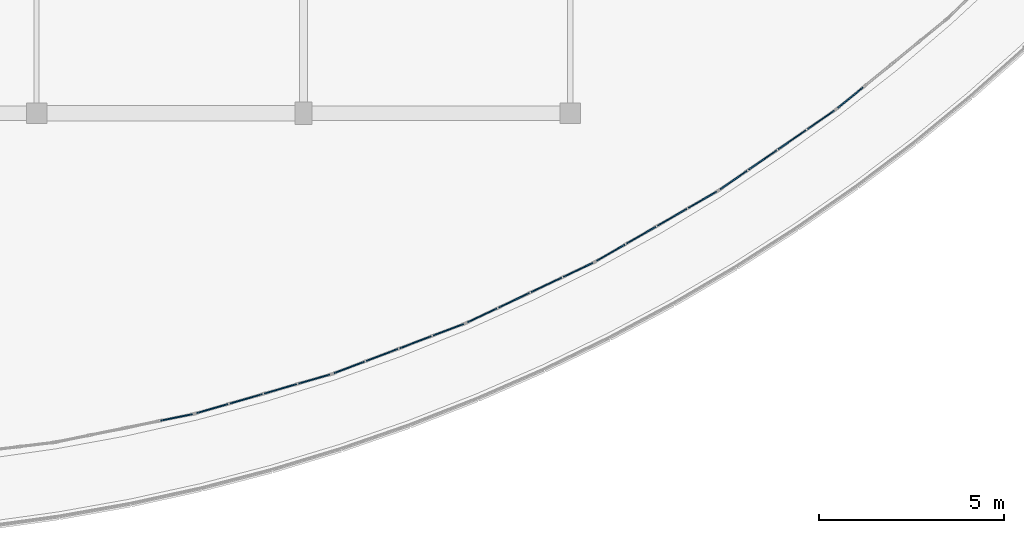
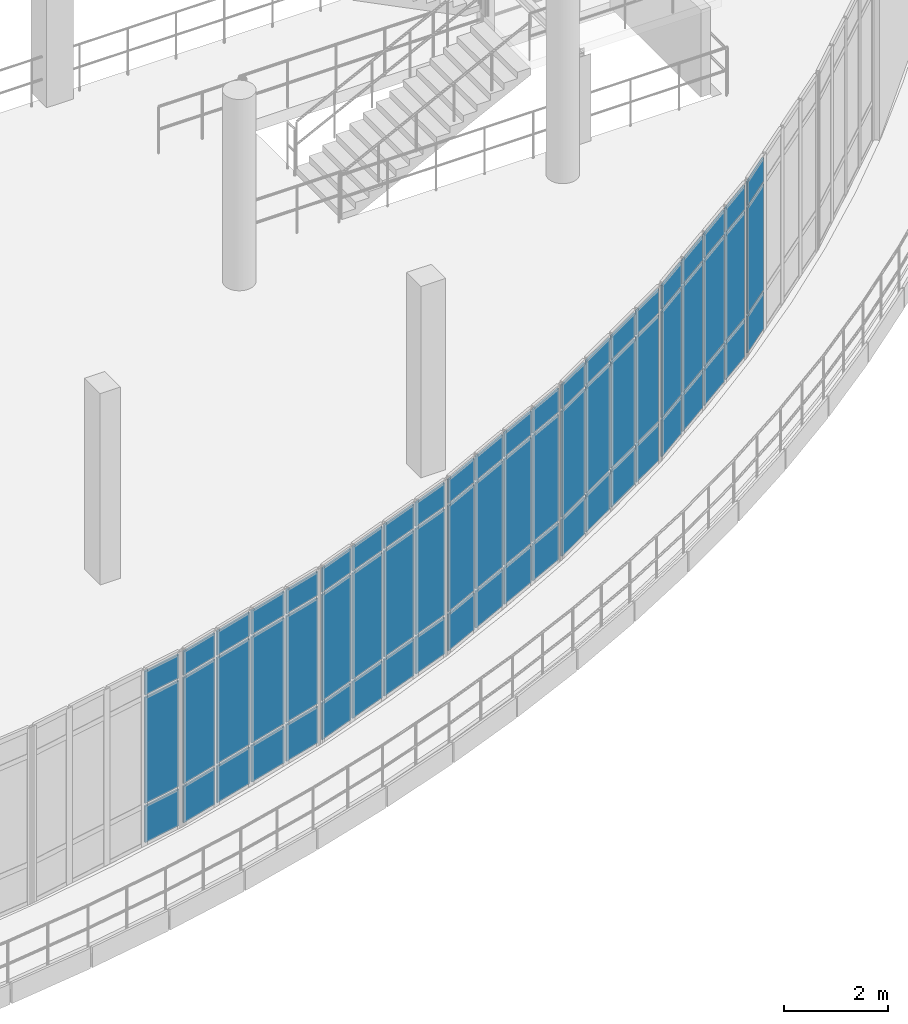
# One storey, part 92 of 124: 66 plates, 7 elements without a shape of their own.
"""IFC4 building model written with IfcOpenShell, lengths in metres."""

from ifc_helpers import new_model, si_unit, direction, frame, origin, origin_2d, place, context, subcontext, project, spatial, rectangle, extrude, material, layer, layer_set, type_object, element, aggregate, save


model = new_model("IFC4")

# Units and contexts
model_context = context("Model", 3, precision=1e-05, world=origin(), true_north=direction((0.0, 1.0)))
body_context = subcontext(model_context, "Body", "Model", "MODEL_VIEW")
ifc_project = project(units=[si_unit("LENGTHUNIT", "METRE"), si_unit("AREAUNIT", "SQUARE_METRE"), si_unit("VOLUMEUNIT", "CUBIC_METRE"), si_unit("PLANEANGLEUNIT", "RADIAN"), si_unit("MASSUNIT", "GRAM", prefix="KILO")], contexts=[model_context])

# Site, building, storey
site_placement = place(None, origin())
site = spatial("IfcSite", under=ifc_project, at=site_placement, CompositionType="ELEMENT")
building_placement = place(site_placement, origin())
building = spatial("IfcBuilding", under=site, at=building_placement, Name="Kalluvel Institute of Natural Sciences", CompositionType="ELEMENT")
storey_placement = place(building_placement, frame((0.0, 0.0, 9.89990234375)))
storey = spatial("IfcBuildingStorey", under=building, at=storey_placement, Name="L02", CompositionType="ELEMENT", Elevation=9.89990234375)

# Curtain wall, plates
ifc_material_1 = material(Name="Aluminium AW-6063 T6", Category="aluminium")
curtain_wall_type = type_object("IfcCurtainWallType", Name="CW-ATR-ARC", PredefinedType="USERDEFINED", material=ifc_material_1)
curtain_wall_1_placement = place(storey_placement, origin())
curtain_wall_1 = element("IfcCurtainWall", 1, at=curtain_wall_1_placement, inside=storey, type_object=curtain_wall_type, Name="L02 Gothic lancet curtain wall CWA-L02-X433-Y555", ObjectType="UNITISED LANCET FACADE", PredefinedType="USERDEFINED")
ifc_material_2 = material(Name="Solar-Control Low-E Laminated Glass", Category="glass")
ifc_layer = layer(ifc_material_2, 0.035888671875)
ifc_layer_set = layer_set([ifc_layer], Name="Solar-Control Low-E Laminated Glass")
plate_type = type_object("IfcPlateType", Name="CWP-DGU-36", PredefinedType="CURTAIN_PANEL", material=ifc_layer_set)
plate_1_placement = place(storey_placement, frame((46.576171875, 56.1923828125, 0.06005859375), z_axis=(0.0, 0.0, 1.0), x_axis=(0.979790166812, 0.200028070576, 0.0)))
plate_1 = element("IfcPlate", 2, at=plate_1_placement, type_object=plate_type, Name="CW-05 panel 4.1", PredefinedType="CURTAIN_PANEL", context=body_context, shape_type="SweptSolid", body=[
    extrude(rectangle(XDim=0.874267578125, YDim=0.035888671875, at=origin_2d()), origin(), (0.0, 0.0, 1.0), 0.860107421875),
])
plate_2_placement = place(storey_placement, frame((46.576171875, 56.1923828125, 0.97998046875), z_axis=(0.0, 0.0, 1.0), x_axis=(0.979790166812, 0.200028070576, 0.0)))
plate_2 = element("IfcPlate", 3, at=plate_2_placement, type_object=plate_type, Name="CW-05 panel 4.2", PredefinedType="CURTAIN_PANEL", context=body_context, shape_type="SweptSolid", body=[
    extrude(rectangle(XDim=0.874267578125, YDim=0.035888671875, at=origin_2d()), origin(), (0.0, 0.0, 1.0), 2.489990234375),
])
plate_3_placement = place(storey_placement, frame((46.576171875, 56.1923828125, 3.530029296875), z_axis=(0.0, 0.0, 1.0), x_axis=(0.979790166812, 0.200028070576, 0.0)))
plate_3 = element("IfcPlate", 4, at=plate_3_placement, type_object=plate_type, Name="CW-05 panel 4.3", PredefinedType="CURTAIN_PANEL", context=body_context, shape_type="SweptSolid", body=[
    extrude(rectangle(XDim=0.874267578125, YDim=0.035888671875, at=origin_2d()), origin(), (0.0, 0.0, 1.0), 0.56005859375),
])
aggregate(curtain_wall_1, [plate_1, plate_2, plate_3])

curtain_wall_2_placement = place(storey_placement, origin())
curtain_wall_2 = element("IfcCurtainWall", 5, at=curtain_wall_2_placement, inside=storey, type_object=curtain_wall_type, Name="L02 Gothic lancet curtain wall CWA-L02-X471-Y563", ObjectType="UNITISED LANCET FACADE", PredefinedType="USERDEFINED")
plate_4_placement = place(storey_placement, frame((47.540771484375, 56.43017578125, 0.06005859375), z_axis=(0.0, 0.0, 1.0), x_axis=(0.960519792816, 0.278211659728, 0.0)))
plate_4 = element("IfcPlate", 6, at=plate_4_placement, type_object=plate_type, Name="CW-05 panel 1.1", PredefinedType="CURTAIN_PANEL", context=body_context, shape_type="SweptSolid", body=[
    extrude(rectangle(XDim=0.874267578125, YDim=0.035888671875, at=origin_2d()), origin(), (0.0, 0.0, 1.0), 0.860107421875),
])
plate_5_placement = place(storey_placement, frame((47.540771484375, 56.43017578125, 0.97998046875), z_axis=(0.0, 0.0, 1.0), x_axis=(0.960519792816, 0.278211659728, 0.0)))
plate_5 = element("IfcPlate", 7, at=plate_5_placement, type_object=plate_type, Name="CW-05 panel 1.2", PredefinedType="CURTAIN_PANEL", context=body_context, shape_type="SweptSolid", body=[
    extrude(rectangle(XDim=0.874267578125, YDim=0.035888671875, at=origin_2d()), origin(), (0.0, 0.0, 1.0), 2.489990234375),
])
plate_6_placement = place(storey_placement, frame((47.540771484375, 56.43017578125, 3.530029296875), z_axis=(0.0, 0.0, 1.0), x_axis=(0.960519792816, 0.278211659728, 0.0)))
plate_6 = element("IfcPlate", 8, at=plate_6_placement, type_object=plate_type, Name="CW-05 panel 1.3", PredefinedType="CURTAIN_PANEL", context=body_context, shape_type="SweptSolid", body=[
    extrude(rectangle(XDim=0.874267578125, YDim=0.035888671875, at=origin_2d()), origin(), (0.0, 0.0, 1.0), 0.56005859375),
])
plate_7_placement = place(storey_placement, frame((48.45263671875, 56.6943359375, 0.06005859375), z_axis=(0.0, 0.0, 1.0), x_axis=(0.960519792816, 0.278211659728, 0.0)))
plate_7 = element("IfcPlate", 9, at=plate_7_placement, type_object=plate_type, Name="CW-05 panel 2.1", PredefinedType="CURTAIN_PANEL", context=body_context, shape_type="SweptSolid", body=[
    extrude(rectangle(XDim=0.904296875, YDim=0.035888671875, at=origin_2d()), origin(), (0.0, 0.0, 1.0), 0.860107421875),
])
plate_8_placement = place(storey_placement, frame((48.45263671875, 56.6943359375, 0.97998046875), z_axis=(0.0, 0.0, 1.0), x_axis=(0.960519792816, 0.278211659728, 0.0)))
plate_8 = element("IfcPlate", 10, at=plate_8_placement, type_object=plate_type, Name="CW-05 panel 2.2", PredefinedType="CURTAIN_PANEL", context=body_context, shape_type="SweptSolid", body=[
    extrude(rectangle(XDim=0.904296875, YDim=0.035888671875, at=origin_2d()), origin(), (0.0, 0.0, 1.0), 2.489990234375),
])
plate_9_placement = place(storey_placement, frame((48.45263671875, 56.6943359375, 3.530029296875), z_axis=(0.0, 0.0, 1.0), x_axis=(0.960519792816, 0.278211659728, 0.0)))
plate_9 = element("IfcPlate", 11, at=plate_9_placement, type_object=plate_type, Name="CW-05 panel 2.3", PredefinedType="CURTAIN_PANEL", context=body_context, shape_type="SweptSolid", body=[
    extrude(rectangle(XDim=0.904296875, YDim=0.035888671875, at=origin_2d()), origin(), (0.0, 0.0, 1.0), 0.56005859375),
])
plate_10_placement = place(storey_placement, frame((49.37890625, 56.962646484375, 0.06005859375), z_axis=(0.0, 0.0, 1.0), x_axis=(0.960519792816, 0.278211659728, 0.0)))
plate_10 = element("IfcPlate", 12, at=plate_10_placement, type_object=plate_type, Name="CW-05 panel 3.1", PredefinedType="CURTAIN_PANEL", context=body_context, shape_type="SweptSolid", body=[
    extrude(rectangle(XDim=0.904296875, YDim=0.035888671875, at=origin_2d()), origin(), (0.0, 0.0, 1.0), 0.860107421875),
])
plate_11_placement = place(storey_placement, frame((49.37890625, 56.962646484375, 0.97998046875), z_axis=(0.0, 0.0, 1.0), x_axis=(0.960519792816, 0.278211659728, 0.0)))
plate_11 = element("IfcPlate", 13, at=plate_11_placement, type_object=plate_type, Name="CW-05 panel 3.2", PredefinedType="CURTAIN_PANEL", context=body_context, shape_type="SweptSolid", body=[
    extrude(rectangle(XDim=0.904296875, YDim=0.035888671875, at=origin_2d()), origin(), (0.0, 0.0, 1.0), 2.489990234375),
])
plate_12_placement = place(storey_placement, frame((49.37890625, 56.962646484375, 3.530029296875), z_axis=(0.0, 0.0, 1.0), x_axis=(0.960519792816, 0.278211659728, 0.0)))
plate_12 = element("IfcPlate", 14, at=plate_12_placement, type_object=plate_type, Name="CW-05 panel 3.3", PredefinedType="CURTAIN_PANEL", context=body_context, shape_type="SweptSolid", body=[
    extrude(rectangle(XDim=0.904296875, YDim=0.035888671875, at=origin_2d()), origin(), (0.0, 0.0, 1.0), 0.56005859375),
])
plate_13_placement = place(storey_placement, frame((50.290771484375, 57.226806640625, 0.06005859375), z_axis=(0.0, 0.0, 1.0), x_axis=(0.960519792816, 0.278211659728, 0.0)))
plate_13 = element("IfcPlate", 15, at=plate_13_placement, type_object=plate_type, Name="CW-05 panel 4.1", PredefinedType="CURTAIN_PANEL", context=body_context, shape_type="SweptSolid", body=[
    extrude(rectangle(XDim=0.874267578125, YDim=0.035888671875, at=origin_2d()), origin(), (0.0, 0.0, 1.0), 0.860107421875),
])
plate_14_placement = place(storey_placement, frame((50.290771484375, 57.226806640625, 0.97998046875), z_axis=(0.0, 0.0, 1.0), x_axis=(0.960519792816, 0.278211659728, 0.0)))
plate_14 = element("IfcPlate", 16, at=plate_14_placement, type_object=plate_type, Name="CW-05 panel 4.2", PredefinedType="CURTAIN_PANEL", context=body_context, shape_type="SweptSolid", body=[
    extrude(rectangle(XDim=0.874267578125, YDim=0.035888671875, at=origin_2d()), origin(), (0.0, 0.0, 1.0), 2.489990234375),
])
plate_15_placement = place(storey_placement, frame((50.290771484375, 57.226806640625, 3.530029296875), z_axis=(0.0, 0.0, 1.0), x_axis=(0.960519792816, 0.278211659728, 0.0)))
plate_15 = element("IfcPlate", 17, at=plate_15_placement, type_object=plate_type, Name="CW-05 panel 4.3", PredefinedType="CURTAIN_PANEL", context=body_context, shape_type="SweptSolid", body=[
    extrude(rectangle(XDim=0.874267578125, YDim=0.035888671875, at=origin_2d()), origin(), (0.0, 0.0, 1.0), 0.56005859375),
])
aggregate(curtain_wall_2, [plate_4, plate_5, plate_6, plate_7, plate_8, plate_9, plate_10, plate_11, plate_12, plate_13, plate_14, plate_15])

curtain_wall_3_placement = place(storey_placement, origin())
curtain_wall_3 = element("IfcCurtainWall", 18, at=curtain_wall_3_placement, inside=storey, type_object=curtain_wall_type, Name="L02 Gothic lancet curtain wall CWA-L02-X508-Y574", ObjectType="UNITISED LANCET FACADE", PredefinedType="USERDEFINED")
plate_16_placement = place(storey_placement, frame((51.233154296875, 57.54150390625, 0.06005859375), z_axis=(0.0, 0.0, 1.0), x_axis=(0.935014421443, 0.354609689227, 0.0)))
plate_16 = element("IfcPlate", 19, at=plate_16_placement, type_object=plate_type, Name="CW-05 panel 1.1", PredefinedType="CURTAIN_PANEL", context=body_context, shape_type="SweptSolid", body=[
    extrude(rectangle(XDim=0.874267578125, YDim=0.035888671875, at=origin_2d()), origin(), (0.0, 0.0, 1.0), 0.860107421875),
])
plate_17_placement = place(storey_placement, frame((51.233154296875, 57.54150390625, 0.97998046875), z_axis=(0.0, 0.0, 1.0), x_axis=(0.935014421443, 0.354609689227, 0.0)))
plate_17 = element("IfcPlate", 20, at=plate_17_placement, type_object=plate_type, Name="CW-05 panel 1.2", PredefinedType="CURTAIN_PANEL", context=body_context, shape_type="SweptSolid", body=[
    extrude(rectangle(XDim=0.874267578125, YDim=0.035888671875, at=origin_2d()), origin(), (0.0, 0.0, 1.0), 2.489990234375),
])
plate_18_placement = place(storey_placement, frame((51.233154296875, 57.54150390625, 3.530029296875), z_axis=(0.0, 0.0, 1.0), x_axis=(0.935014421443, 0.354609689227, 0.0)))
plate_18 = element("IfcPlate", 21, at=plate_18_placement, type_object=plate_type, Name="CW-05 panel 1.3", PredefinedType="CURTAIN_PANEL", context=body_context, shape_type="SweptSolid", body=[
    extrude(rectangle(XDim=0.874267578125, YDim=0.035888671875, at=origin_2d()), origin(), (0.0, 0.0, 1.0), 0.56005859375),
])
plate_19_placement = place(storey_placement, frame((52.120849609375, 57.878173828125, 0.06005859375), z_axis=(0.0, 0.0, 1.0), x_axis=(0.935014421443, 0.354609689227, 0.0)))
plate_19 = element("IfcPlate", 22, at=plate_19_placement, type_object=plate_type, Name="CW-05 panel 2.1", PredefinedType="CURTAIN_PANEL", context=body_context, shape_type="SweptSolid", body=[
    extrude(rectangle(XDim=0.904296875, YDim=0.035888671875, at=origin_2d()), origin(), (0.0, 0.0, 1.0), 0.860107421875),
])
plate_20_placement = place(storey_placement, frame((52.120849609375, 57.878173828125, 0.97998046875), z_axis=(0.0, 0.0, 1.0), x_axis=(0.935014421443, 0.354609689227, 0.0)))
plate_20 = element("IfcPlate", 23, at=plate_20_placement, type_object=plate_type, Name="CW-05 panel 2.2", PredefinedType="CURTAIN_PANEL", context=body_context, shape_type="SweptSolid", body=[
    extrude(rectangle(XDim=0.904296875, YDim=0.035888671875, at=origin_2d()), origin(), (0.0, 0.0, 1.0), 2.489990234375),
])
plate_21_placement = place(storey_placement, frame((52.120849609375, 57.878173828125, 3.530029296875), z_axis=(0.0, 0.0, 1.0), x_axis=(0.935014421443, 0.354609689227, 0.0)))
plate_21 = element("IfcPlate", 24, at=plate_21_placement, type_object=plate_type, Name="CW-05 panel 2.3", PredefinedType="CURTAIN_PANEL", context=body_context, shape_type="SweptSolid", body=[
    extrude(rectangle(XDim=0.904296875, YDim=0.035888671875, at=origin_2d()), origin(), (0.0, 0.0, 1.0), 0.56005859375),
])
plate_22_placement = place(storey_placement, frame((53.022705078125, 58.219970703125, 0.06005859375), z_axis=(0.0, 0.0, 1.0), x_axis=(0.935014421443, 0.354609689227, 0.0)))
plate_22 = element("IfcPlate", 25, at=plate_22_placement, type_object=plate_type, Name="CW-05 panel 3.1", PredefinedType="CURTAIN_PANEL", context=body_context, shape_type="SweptSolid", body=[
    extrude(rectangle(XDim=0.904296875, YDim=0.035888671875, at=origin_2d()), origin(), (0.0, 0.0, 1.0), 0.860107421875),
])
plate_23_placement = place(storey_placement, frame((53.022705078125, 58.219970703125, 0.97998046875), z_axis=(0.0, 0.0, 1.0), x_axis=(0.935014421443, 0.354609689227, 0.0)))
plate_23 = element("IfcPlate", 26, at=plate_23_placement, type_object=plate_type, Name="CW-05 panel 3.2", PredefinedType="CURTAIN_PANEL", context=body_context, shape_type="SweptSolid", body=[
    extrude(rectangle(XDim=0.904296875, YDim=0.035888671875, at=origin_2d()), origin(), (0.0, 0.0, 1.0), 2.489990234375),
])
plate_24_placement = place(storey_placement, frame((53.022705078125, 58.219970703125, 3.530029296875), z_axis=(0.0, 0.0, 1.0), x_axis=(0.935014421443, 0.354609689227, 0.0)))
plate_24 = element("IfcPlate", 27, at=plate_24_placement, type_object=plate_type, Name="CW-05 panel 3.3", PredefinedType="CURTAIN_PANEL", context=body_context, shape_type="SweptSolid", body=[
    extrude(rectangle(XDim=0.904296875, YDim=0.035888671875, at=origin_2d()), origin(), (0.0, 0.0, 1.0), 0.56005859375),
])
plate_25_placement = place(storey_placement, frame((53.910400390625, 58.556640625, 0.06005859375), z_axis=(0.0, 0.0, 1.0), x_axis=(0.935014421443, 0.354609689227, 0.0)))
plate_25 = element("IfcPlate", 28, at=plate_25_placement, type_object=plate_type, Name="CW-05 panel 4.1", PredefinedType="CURTAIN_PANEL", context=body_context, shape_type="SweptSolid", body=[
    extrude(rectangle(XDim=0.874267578125, YDim=0.035888671875, at=origin_2d()), origin(), (0.0, 0.0, 1.0), 0.860107421875),
])
plate_26_placement = place(storey_placement, frame((53.910400390625, 58.556640625, 0.97998046875), z_axis=(0.0, 0.0, 1.0), x_axis=(0.935014421443, 0.354609689227, 0.0)))
plate_26 = element("IfcPlate", 29, at=plate_26_placement, type_object=plate_type, Name="CW-05 panel 4.2", PredefinedType="CURTAIN_PANEL", context=body_context, shape_type="SweptSolid", body=[
    extrude(rectangle(XDim=0.874267578125, YDim=0.035888671875, at=origin_2d()), origin(), (0.0, 0.0, 1.0), 2.489990234375),
])
plate_27_placement = place(storey_placement, frame((53.910400390625, 58.556640625, 3.530029296875), z_axis=(0.0, 0.0, 1.0), x_axis=(0.935014421443, 0.354609689227, 0.0)))
plate_27 = element("IfcPlate", 30, at=plate_27_placement, type_object=plate_type, Name="CW-05 panel 4.3", PredefinedType="CURTAIN_PANEL", context=body_context, shape_type="SweptSolid", body=[
    extrude(rectangle(XDim=0.874267578125, YDim=0.035888671875, at=origin_2d()), origin(), (0.0, 0.0, 1.0), 0.56005859375),
])
aggregate(curtain_wall_3, [plate_16, plate_17, plate_18, plate_19, plate_20, plate_21, plate_22, plate_23, plate_24, plate_25, plate_26, plate_27])

curtain_wall_4_placement = place(storey_placement, origin())
curtain_wall_4 = element("IfcCurtainWall", 31, at=curtain_wall_4_placement, inside=storey, type_object=curtain_wall_type, Name="L02 Gothic lancet curtain wall CWA-L02-X544-Y587", ObjectType="UNITISED LANCET FACADE", PredefinedType="USERDEFINED")
plate_28_placement = place(storey_placement, frame((54.824462890625, 58.946044921875, 0.06005859375), z_axis=(0.0, 0.0, 1.0), x_axis=(0.903445721692, 0.428702493526, 0.0)))
plate_28 = element("IfcPlate", 32, at=plate_28_placement, type_object=plate_type, Name="CW-05 panel 1.1", PredefinedType="CURTAIN_PANEL", context=body_context, shape_type="SweptSolid", body=[
    extrude(rectangle(XDim=0.874267578125, YDim=0.035888671875, at=origin_2d()), origin(), (0.0, 0.0, 1.0), 0.860107421875),
])
plate_29_placement = place(storey_placement, frame((54.824462890625, 58.946044921875, 0.97998046875), z_axis=(0.0, 0.0, 1.0), x_axis=(0.903445721692, 0.428702493526, 0.0)))
plate_29 = element("IfcPlate", 33, at=plate_29_placement, type_object=plate_type, Name="CW-05 panel 1.2", PredefinedType="CURTAIN_PANEL", context=body_context, shape_type="SweptSolid", body=[
    extrude(rectangle(XDim=0.874267578125, YDim=0.035888671875, at=origin_2d()), origin(), (0.0, 0.0, 1.0), 2.489990234375),
])
plate_30_placement = place(storey_placement, frame((54.824462890625, 58.946044921875, 3.530029296875), z_axis=(0.0, 0.0, 1.0), x_axis=(0.903445721692, 0.428702493526, 0.0)))
plate_30 = element("IfcPlate", 34, at=plate_30_placement, type_object=plate_type, Name="CW-05 panel 1.3", PredefinedType="CURTAIN_PANEL", context=body_context, shape_type="SweptSolid", body=[
    extrude(rectangle(XDim=0.874267578125, YDim=0.035888671875, at=origin_2d()), origin(), (0.0, 0.0, 1.0), 0.56005859375),
])
plate_31_placement = place(storey_placement, frame((55.68212890625, 59.35302734375, 0.06005859375), z_axis=(0.0, 0.0, 1.0), x_axis=(0.903445721692, 0.428702493526, 0.0)))
plate_31 = element("IfcPlate", 35, at=plate_31_placement, type_object=plate_type, Name="CW-05 panel 2.1", PredefinedType="CURTAIN_PANEL", context=body_context, shape_type="SweptSolid", body=[
    extrude(rectangle(XDim=0.904296875, YDim=0.035888671875, at=origin_2d()), origin(), (0.0, 0.0, 1.0), 0.860107421875),
])
plate_32_placement = place(storey_placement, frame((55.68212890625, 59.35302734375, 0.97998046875), z_axis=(0.0, 0.0, 1.0), x_axis=(0.903445721692, 0.428702493526, 0.0)))
plate_32 = element("IfcPlate", 36, at=plate_32_placement, type_object=plate_type, Name="CW-05 panel 2.2", PredefinedType="CURTAIN_PANEL", context=body_context, shape_type="SweptSolid", body=[
    extrude(rectangle(XDim=0.904296875, YDim=0.035888671875, at=origin_2d()), origin(), (0.0, 0.0, 1.0), 2.489990234375),
])
plate_33_placement = place(storey_placement, frame((55.68212890625, 59.35302734375, 3.530029296875), z_axis=(0.0, 0.0, 1.0), x_axis=(0.903445721692, 0.428702493526, 0.0)))
plate_33 = element("IfcPlate", 37, at=plate_33_placement, type_object=plate_type, Name="CW-05 panel 2.3", PredefinedType="CURTAIN_PANEL", context=body_context, shape_type="SweptSolid", body=[
    extrude(rectangle(XDim=0.904296875, YDim=0.035888671875, at=origin_2d()), origin(), (0.0, 0.0, 1.0), 0.56005859375),
])
plate_34_placement = place(storey_placement, frame((56.55322265625, 59.7666015625, 0.06005859375), z_axis=(0.0, 0.0, 1.0), x_axis=(0.903445721692, 0.428702493526, 0.0)))
plate_34 = element("IfcPlate", 38, at=plate_34_placement, type_object=plate_type, Name="CW-05 panel 3.1", PredefinedType="CURTAIN_PANEL", context=body_context, shape_type="SweptSolid", body=[
    extrude(rectangle(XDim=0.904296875, YDim=0.035888671875, at=origin_2d()), origin(), (0.0, 0.0, 1.0), 0.860107421875),
])
plate_35_placement = place(storey_placement, frame((56.55322265625, 59.7666015625, 0.97998046875), z_axis=(0.0, 0.0, 1.0), x_axis=(0.903445721692, 0.428702493526, 0.0)))
plate_35 = element("IfcPlate", 39, at=plate_35_placement, type_object=plate_type, Name="CW-05 panel 3.2", PredefinedType="CURTAIN_PANEL", context=body_context, shape_type="SweptSolid", body=[
    extrude(rectangle(XDim=0.904296875, YDim=0.035888671875, at=origin_2d()), origin(), (0.0, 0.0, 1.0), 2.489990234375),
])
plate_36_placement = place(storey_placement, frame((56.55322265625, 59.7666015625, 3.530029296875), z_axis=(0.0, 0.0, 1.0), x_axis=(0.903445721692, 0.428702493526, 0.0)))
plate_36 = element("IfcPlate", 40, at=plate_36_placement, type_object=plate_type, Name="CW-05 panel 3.3", PredefinedType="CURTAIN_PANEL", context=body_context, shape_type="SweptSolid", body=[
    extrude(rectangle(XDim=0.904296875, YDim=0.035888671875, at=origin_2d()), origin(), (0.0, 0.0, 1.0), 0.56005859375),
])
plate_37_placement = place(storey_placement, frame((57.4111328125, 60.173583984375, 0.06005859375), z_axis=(0.0, 0.0, 1.0), x_axis=(0.903445721692, 0.428702493526, 0.0)))
plate_37 = element("IfcPlate", 41, at=plate_37_placement, type_object=plate_type, Name="CW-05 panel 4.1", PredefinedType="CURTAIN_PANEL", context=body_context, shape_type="SweptSolid", body=[
    extrude(rectangle(XDim=0.874267578125, YDim=0.035888671875, at=origin_2d()), origin(), (0.0, 0.0, 1.0), 0.860107421875),
])
plate_38_placement = place(storey_placement, frame((57.4111328125, 60.173583984375, 0.97998046875), z_axis=(0.0, 0.0, 1.0), x_axis=(0.903445721692, 0.428702493526, 0.0)))
plate_38 = element("IfcPlate", 42, at=plate_38_placement, type_object=plate_type, Name="CW-05 panel 4.2", PredefinedType="CURTAIN_PANEL", context=body_context, shape_type="SweptSolid", body=[
    extrude(rectangle(XDim=0.874267578125, YDim=0.035888671875, at=origin_2d()), origin(), (0.0, 0.0, 1.0), 2.489990234375),
])
plate_39_placement = place(storey_placement, frame((57.4111328125, 60.173583984375, 3.530029296875), z_axis=(0.0, 0.0, 1.0), x_axis=(0.903445721692, 0.428702493526, 0.0)))
plate_39 = element("IfcPlate", 43, at=plate_39_placement, type_object=plate_type, Name="CW-05 panel 4.3", PredefinedType="CURTAIN_PANEL", context=body_context, shape_type="SweptSolid", body=[
    extrude(rectangle(XDim=0.874267578125, YDim=0.035888671875, at=origin_2d()), origin(), (0.0, 0.0, 1.0), 0.56005859375),
])
aggregate(curtain_wall_4, [plate_28, plate_29, plate_30, plate_31, plate_32, plate_33, plate_34, plate_35, plate_36, plate_37, plate_38, plate_39])

curtain_wall_5_placement = place(storey_placement, origin())
curtain_wall_5 = element("IfcCurtainWall", 44, at=curtain_wall_5_placement, inside=storey, type_object=curtain_wall_type, Name="L02 Gothic lancet curtain wall CWA-L02-X579-Y604", ObjectType="UNITISED LANCET FACADE", PredefinedType="USERDEFINED")
plate_40_placement = place(storey_placement, frame((58.290771484375, 60.63525390625, 0.06005859375), z_axis=(0.0, 0.0, 1.0), x_axis=(0.866031470337, 0.499989492276, 0.0)))
plate_40 = element("IfcPlate", 45, at=plate_40_placement, type_object=plate_type, Name="CW-05 panel 1.1", PredefinedType="CURTAIN_PANEL", context=body_context, shape_type="SweptSolid", body=[
    extrude(rectangle(XDim=0.874267578125, YDim=0.035888671875, at=origin_2d()), origin(), (0.0, 0.0, 1.0), 0.860107421875),
])
plate_41_placement = place(storey_placement, frame((58.290771484375, 60.63525390625, 0.97998046875), z_axis=(0.0, 0.0, 1.0), x_axis=(0.866031470337, 0.499989492276, 0.0)))
plate_41 = element("IfcPlate", 46, at=plate_41_placement, type_object=plate_type, Name="CW-05 panel 1.2", PredefinedType="CURTAIN_PANEL", context=body_context, shape_type="SweptSolid", body=[
    extrude(rectangle(XDim=0.874267578125, YDim=0.035888671875, at=origin_2d()), origin(), (0.0, 0.0, 1.0), 2.489990234375),
])
plate_42_placement = place(storey_placement, frame((58.290771484375, 60.63525390625, 3.530029296875), z_axis=(0.0, 0.0, 1.0), x_axis=(0.866031470337, 0.499989492276, 0.0)))
plate_42 = element("IfcPlate", 47, at=plate_42_placement, type_object=plate_type, Name="CW-05 panel 1.3", PredefinedType="CURTAIN_PANEL", context=body_context, shape_type="SweptSolid", body=[
    extrude(rectangle(XDim=0.874267578125, YDim=0.035888671875, at=origin_2d()), origin(), (0.0, 0.0, 1.0), 0.56005859375),
])
plate_43_placement = place(storey_placement, frame((59.113037109375, 61.10986328125, 0.06005859375), z_axis=(0.0, 0.0, 1.0), x_axis=(0.866031470337, 0.499989492276, 0.0)))
plate_43 = element("IfcPlate", 48, at=plate_43_placement, type_object=plate_type, Name="CW-05 panel 2.1", PredefinedType="CURTAIN_PANEL", context=body_context, shape_type="SweptSolid", body=[
    extrude(rectangle(XDim=0.904296875, YDim=0.035888671875, at=origin_2d()), origin(), (0.0, 0.0, 1.0), 0.860107421875),
])
plate_44_placement = place(storey_placement, frame((59.113037109375, 61.10986328125, 0.97998046875), z_axis=(0.0, 0.0, 1.0), x_axis=(0.866031470337, 0.499989492276, 0.0)))
plate_44 = element("IfcPlate", 49, at=plate_44_placement, type_object=plate_type, Name="CW-05 panel 2.2", PredefinedType="CURTAIN_PANEL", context=body_context, shape_type="SweptSolid", body=[
    extrude(rectangle(XDim=0.904296875, YDim=0.035888671875, at=origin_2d()), origin(), (0.0, 0.0, 1.0), 2.489990234375),
])
plate_45_placement = place(storey_placement, frame((59.113037109375, 61.10986328125, 3.530029296875), z_axis=(0.0, 0.0, 1.0), x_axis=(0.866031470337, 0.499989492276, 0.0)))
plate_45 = element("IfcPlate", 50, at=plate_45_placement, type_object=plate_type, Name="CW-05 panel 2.3", PredefinedType="CURTAIN_PANEL", context=body_context, shape_type="SweptSolid", body=[
    extrude(rectangle(XDim=0.904296875, YDim=0.035888671875, at=origin_2d()), origin(), (0.0, 0.0, 1.0), 0.56005859375),
])
plate_46_placement = place(storey_placement, frame((59.9482421875, 61.592041015625, 0.06005859375), z_axis=(0.0, 0.0, 1.0), x_axis=(0.866031470337, 0.499989492276, 0.0)))
plate_46 = element("IfcPlate", 51, at=plate_46_placement, type_object=plate_type, Name="CW-05 panel 3.1", PredefinedType="CURTAIN_PANEL", context=body_context, shape_type="SweptSolid", body=[
    extrude(rectangle(XDim=0.904296875, YDim=0.035888671875, at=origin_2d()), origin(), (0.0, 0.0, 1.0), 0.860107421875),
])
plate_47_placement = place(storey_placement, frame((59.9482421875, 61.592041015625, 0.97998046875), z_axis=(0.0, 0.0, 1.0), x_axis=(0.866031470337, 0.499989492276, 0.0)))
plate_47 = element("IfcPlate", 52, at=plate_47_placement, type_object=plate_type, Name="CW-05 panel 3.2", PredefinedType="CURTAIN_PANEL", context=body_context, shape_type="SweptSolid", body=[
    extrude(rectangle(XDim=0.904296875, YDim=0.035888671875, at=origin_2d()), origin(), (0.0, 0.0, 1.0), 2.489990234375),
])
plate_48_placement = place(storey_placement, frame((59.9482421875, 61.592041015625, 3.530029296875), z_axis=(0.0, 0.0, 1.0), x_axis=(0.866031470337, 0.499989492276, 0.0)))
plate_48 = element("IfcPlate", 53, at=plate_48_placement, type_object=plate_type, Name="CW-05 panel 3.3", PredefinedType="CURTAIN_PANEL", context=body_context, shape_type="SweptSolid", body=[
    extrude(rectangle(XDim=0.904296875, YDim=0.035888671875, at=origin_2d()), origin(), (0.0, 0.0, 1.0), 0.56005859375),
])
plate_49_placement = place(storey_placement, frame((60.770263671875, 62.06689453125, 0.06005859375), z_axis=(0.0, 0.0, 1.0), x_axis=(0.866031470337, 0.499989492276, 0.0)))
plate_49 = element("IfcPlate", 54, at=plate_49_placement, type_object=plate_type, Name="CW-05 panel 4.1", PredefinedType="CURTAIN_PANEL", context=body_context, shape_type="SweptSolid", body=[
    extrude(rectangle(XDim=0.874267578125, YDim=0.035888671875, at=origin_2d()), origin(), (0.0, 0.0, 1.0), 0.860107421875),
])
plate_50_placement = place(storey_placement, frame((60.770263671875, 62.06689453125, 0.97998046875), z_axis=(0.0, 0.0, 1.0), x_axis=(0.866031470337, 0.499989492276, 0.0)))
plate_50 = element("IfcPlate", 55, at=plate_50_placement, type_object=plate_type, Name="CW-05 panel 4.2", PredefinedType="CURTAIN_PANEL", context=body_context, shape_type="SweptSolid", body=[
    extrude(rectangle(XDim=0.874267578125, YDim=0.035888671875, at=origin_2d()), origin(), (0.0, 0.0, 1.0), 2.489990234375),
])
plate_51_placement = place(storey_placement, frame((60.770263671875, 62.06689453125, 3.530029296875), z_axis=(0.0, 0.0, 1.0), x_axis=(0.866031470337, 0.499989492276, 0.0)))
plate_51 = element("IfcPlate", 56, at=plate_51_placement, type_object=plate_type, Name="CW-05 panel 4.3", PredefinedType="CURTAIN_PANEL", context=body_context, shape_type="SweptSolid", body=[
    extrude(rectangle(XDim=0.874267578125, YDim=0.035888671875, at=origin_2d()), origin(), (0.0, 0.0, 1.0), 0.56005859375),
])
aggregate(curtain_wall_5, [plate_40, plate_41, plate_42, plate_43, plate_44, plate_45, plate_46, plate_47, plate_48, plate_49, plate_50, plate_51])

curtain_wall_6_placement = place(storey_placement, origin())
curtain_wall_6 = element("IfcCurtainWall", 57, at=curtain_wall_6_placement, inside=storey, type_object=curtain_wall_type, Name="L02 Gothic lancet curtain wall CWA-L02-X612-Y623", ObjectType="UNITISED LANCET FACADE", PredefinedType="USERDEFINED")
plate_52_placement = place(storey_placement, frame((61.610107421875, 62.597900390625, 0.06005859375), z_axis=(0.0, 0.0, 1.0), x_axis=(0.822988372969, 0.568058217049, 0.0)))
plate_52 = element("IfcPlate", 58, at=plate_52_placement, type_object=plate_type, Name="CW-05 panel 1.1", PredefinedType="CURTAIN_PANEL", context=body_context, shape_type="SweptSolid", body=[
    extrude(rectangle(XDim=0.874267578125, YDim=0.035888671875, at=origin_2d()), origin(), (0.0, 0.0, 1.0), 0.860107421875),
])
plate_53_placement = place(storey_placement, frame((61.610107421875, 62.597900390625, 0.97998046875), z_axis=(0.0, 0.0, 1.0), x_axis=(0.822988372969, 0.568058217049, 0.0)))
plate_53 = element("IfcPlate", 59, at=plate_53_placement, type_object=plate_type, Name="CW-05 panel 1.2", PredefinedType="CURTAIN_PANEL", context=body_context, shape_type="SweptSolid", body=[
    extrude(rectangle(XDim=0.874267578125, YDim=0.035888671875, at=origin_2d()), origin(), (0.0, 0.0, 1.0), 2.489990234375),
])
plate_54_placement = place(storey_placement, frame((61.610107421875, 62.597900390625, 3.530029296875), z_axis=(0.0, 0.0, 1.0), x_axis=(0.822988372969, 0.568058217049, 0.0)))
plate_54 = element("IfcPlate", 60, at=plate_54_placement, type_object=plate_type, Name="CW-05 panel 1.3", PredefinedType="CURTAIN_PANEL", context=body_context, shape_type="SweptSolid", body=[
    extrude(rectangle(XDim=0.874267578125, YDim=0.035888671875, at=origin_2d()), origin(), (0.0, 0.0, 1.0), 0.56005859375),
])
plate_55_placement = place(storey_placement, frame((62.391357421875, 63.13720703125, 0.06005859375), z_axis=(0.0, 0.0, 1.0), x_axis=(0.822988372969, 0.568058217049, 0.0)))
plate_55 = element("IfcPlate", 61, at=plate_55_placement, type_object=plate_type, Name="CW-05 panel 2.1", PredefinedType="CURTAIN_PANEL", context=body_context, shape_type="SweptSolid", body=[
    extrude(rectangle(XDim=0.904296875, YDim=0.035888671875, at=origin_2d()), origin(), (0.0, 0.0, 1.0), 0.860107421875),
])
plate_56_placement = place(storey_placement, frame((62.391357421875, 63.13720703125, 0.97998046875), z_axis=(0.0, 0.0, 1.0), x_axis=(0.822988372969, 0.568058217049, 0.0)))
plate_56 = element("IfcPlate", 62, at=plate_56_placement, type_object=plate_type, Name="CW-05 panel 2.2", PredefinedType="CURTAIN_PANEL", context=body_context, shape_type="SweptSolid", body=[
    extrude(rectangle(XDim=0.904296875, YDim=0.035888671875, at=origin_2d()), origin(), (0.0, 0.0, 1.0), 2.489990234375),
])
plate_57_placement = place(storey_placement, frame((62.391357421875, 63.13720703125, 3.530029296875), z_axis=(0.0, 0.0, 1.0), x_axis=(0.822988372969, 0.568058217049, 0.0)))
plate_57 = element("IfcPlate", 63, at=plate_57_placement, type_object=plate_type, Name="CW-05 panel 2.3", PredefinedType="CURTAIN_PANEL", context=body_context, shape_type="SweptSolid", body=[
    extrude(rectangle(XDim=0.904296875, YDim=0.035888671875, at=origin_2d()), origin(), (0.0, 0.0, 1.0), 0.56005859375),
])
plate_58_placement = place(storey_placement, frame((63.18505859375, 63.68505859375, 0.06005859375), z_axis=(0.0, 0.0, 1.0), x_axis=(0.822988372969, 0.568058217049, 0.0)))
plate_58 = element("IfcPlate", 64, at=plate_58_placement, type_object=plate_type, Name="CW-05 panel 3.1", PredefinedType="CURTAIN_PANEL", context=body_context, shape_type="SweptSolid", body=[
    extrude(rectangle(XDim=0.904296875, YDim=0.035888671875, at=origin_2d()), origin(), (0.0, 0.0, 1.0), 0.860107421875),
])
plate_59_placement = place(storey_placement, frame((63.18505859375, 63.68505859375, 0.97998046875), z_axis=(0.0, 0.0, 1.0), x_axis=(0.822988372969, 0.568058217049, 0.0)))
plate_59 = element("IfcPlate", 65, at=plate_59_placement, type_object=plate_type, Name="CW-05 panel 3.2", PredefinedType="CURTAIN_PANEL", context=body_context, shape_type="SweptSolid", body=[
    extrude(rectangle(XDim=0.904296875, YDim=0.035888671875, at=origin_2d()), origin(), (0.0, 0.0, 1.0), 2.489990234375),
])
plate_60_placement = place(storey_placement, frame((63.18505859375, 63.68505859375, 3.530029296875), z_axis=(0.0, 0.0, 1.0), x_axis=(0.822988372969, 0.568058217049, 0.0)))
plate_60 = element("IfcPlate", 66, at=plate_60_placement, type_object=plate_type, Name="CW-05 panel 3.3", PredefinedType="CURTAIN_PANEL", context=body_context, shape_type="SweptSolid", body=[
    extrude(rectangle(XDim=0.904296875, YDim=0.035888671875, at=origin_2d()), origin(), (0.0, 0.0, 1.0), 0.56005859375),
])
plate_61_placement = place(storey_placement, frame((63.96630859375, 64.224365234375, 0.06005859375), z_axis=(0.0, 0.0, 1.0), x_axis=(0.822988372969, 0.568058217049, 0.0)))
plate_61 = element("IfcPlate", 67, at=plate_61_placement, type_object=plate_type, Name="CW-05 panel 4.1", PredefinedType="CURTAIN_PANEL", context=body_context, shape_type="SweptSolid", body=[
    extrude(rectangle(XDim=0.874267578125, YDim=0.035888671875, at=origin_2d()), origin(), (0.0, 0.0, 1.0), 0.860107421875),
])
plate_62_placement = place(storey_placement, frame((63.96630859375, 64.224365234375, 0.97998046875), z_axis=(0.0, 0.0, 1.0), x_axis=(0.822988372969, 0.568058217049, 0.0)))
plate_62 = element("IfcPlate", 68, at=plate_62_placement, type_object=plate_type, Name="CW-05 panel 4.2", PredefinedType="CURTAIN_PANEL", context=body_context, shape_type="SweptSolid", body=[
    extrude(rectangle(XDim=0.874267578125, YDim=0.035888671875, at=origin_2d()), origin(), (0.0, 0.0, 1.0), 2.489990234375),
])
plate_63_placement = place(storey_placement, frame((63.96630859375, 64.224365234375, 3.530029296875), z_axis=(0.0, 0.0, 1.0), x_axis=(0.822988372969, 0.568058217049, 0.0)))
plate_63 = element("IfcPlate", 69, at=plate_63_placement, type_object=plate_type, Name="CW-05 panel 4.3", PredefinedType="CURTAIN_PANEL", context=body_context, shape_type="SweptSolid", body=[
    extrude(rectangle(XDim=0.874267578125, YDim=0.035888671875, at=origin_2d()), origin(), (0.0, 0.0, 1.0), 0.56005859375),
])
aggregate(curtain_wall_6, [plate_52, plate_53, plate_54, plate_55, plate_56, plate_57, plate_58, plate_59, plate_60, plate_61, plate_62, plate_63])

curtain_wall_7_placement = place(storey_placement, origin())
curtain_wall_7 = element("IfcCurtainWall", 70, at=curtain_wall_7_placement, inside=storey, type_object=curtain_wall_type, Name="L02 Gothic lancet curtain wall CWA-L02-X644-Y645", ObjectType="UNITISED LANCET FACADE", PredefinedType="USERDEFINED")
plate_64_placement = place(storey_placement, frame((64.7607421875, 64.821044921875, 0.06005859375), z_axis=(0.0, 0.0, 1.0), x_axis=(0.774608325744, 0.632441255523, 0.0)))
plate_64 = element("IfcPlate", 71, at=plate_64_placement, type_object=plate_type, Name="CW-05 panel 1.1", PredefinedType="CURTAIN_PANEL", context=body_context, shape_type="SweptSolid", body=[
    extrude(rectangle(XDim=0.874267578125, YDim=0.035888671875, at=origin_2d()), origin(), (0.0, 0.0, 1.0), 0.860107421875),
])
plate_65_placement = place(storey_placement, frame((64.7607421875, 64.821044921875, 0.97998046875), z_axis=(0.0, 0.0, 1.0), x_axis=(0.774608325744, 0.632441255523, 0.0)))
plate_65 = element("IfcPlate", 72, at=plate_65_placement, type_object=plate_type, Name="CW-05 panel 1.2", PredefinedType="CURTAIN_PANEL", context=body_context, shape_type="SweptSolid", body=[
    extrude(rectangle(XDim=0.874267578125, YDim=0.035888671875, at=origin_2d()), origin(), (0.0, 0.0, 1.0), 2.489990234375),
])
plate_66_placement = place(storey_placement, frame((64.7607421875, 64.821044921875, 3.530029296875), z_axis=(0.0, 0.0, 1.0), x_axis=(0.774608325744, 0.632441255523, 0.0)))
plate_66 = element("IfcPlate", 73, at=plate_66_placement, type_object=plate_type, Name="CW-05 panel 1.3", PredefinedType="CURTAIN_PANEL", context=body_context, shape_type="SweptSolid", body=[
    extrude(rectangle(XDim=0.874267578125, YDim=0.035888671875, at=origin_2d()), origin(), (0.0, 0.0, 1.0), 0.56005859375),
])
aggregate(curtain_wall_7, [plate_64, plate_65, plate_66])

save(model, "model.ifc")
